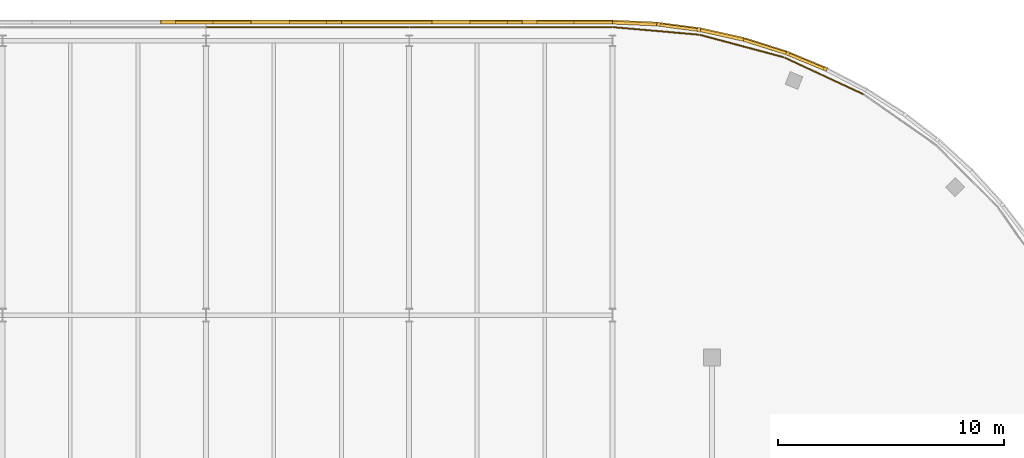
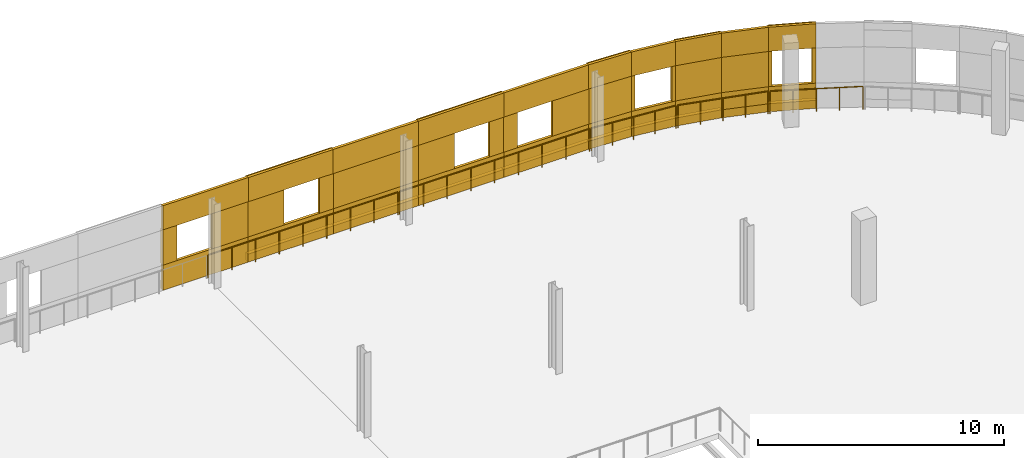
# One storey, part 99 of 103: 51 coverings, 5 railings.
"""IFC4 building model written with IfcOpenShell, lengths in metres."""

from ifc_helpers import new_model, si_unit, direction, frame, origin, origin_2d, place, context, subcontext, project, spatial, rectangle, circle, extrude, material, layer, layer_set, type_object, element, save


model = new_model("IFC4")

# Units and contexts
model_context = context("Model", 3, precision=1e-05, world=origin(), true_north=direction((0.0, 1.0)))
body_context = subcontext(model_context, "Body", "Model", "MODEL_VIEW")
ifc_project = project(units=[si_unit("LENGTHUNIT", "METRE"), si_unit("AREAUNIT", "SQUARE_METRE"), si_unit("VOLUMEUNIT", "CUBIC_METRE"), si_unit("PLANEANGLEUNIT", "RADIAN"), si_unit("MASSUNIT", "GRAM", prefix="KILO")], contexts=[model_context])

# Site, building, storey
site_placement = place(None, origin())
site = spatial("IfcSite", under=ifc_project, at=site_placement, CompositionType="ELEMENT")
building_placement = place(site_placement, origin())
building = spatial("IfcBuilding", under=site, at=building_placement, Name="Deido Ridge Mobility Hub", CompositionType="ELEMENT")
storey_placement = place(building_placement, frame((0.0, 0.0, 12.60009765625)))
storey = spatial("IfcBuildingStorey", under=building, at=storey_placement, Name="L03", CompositionType="ELEMENT", Elevation=12.60009765625)

# Coverings
ifc_material_1 = material(Name="Fired clay brick masonry", Category="masonry")
ifc_layer = layer(ifc_material_1, 0.114990234375, Name="Fired clay brick masonry")
ifc_layer_set = layer_set([ifc_layer], Name="Fired clay brick masonry")
covering_type = type_object("IfcCoveringType", Name="COV-BRK-SCREEN-115", PredefinedType="CLADDING", material=ifc_layer_set)
covering_1_placement = place(storey_placement, frame((125.58203125, 124.218994140625, 0.0), z_axis=(0.0, 0.0, 1.0), x_axis=(-0.923872853285, 0.382699557047, 0.0)))
element("IfcCovering", 1, at=covering_1_placement, inside=storey, type_object=covering_type, Name="Open brickwork spandrel course BKS1 (L03)", PredefinedType="CLADDING", context=body_context, shape_type="SweptSolid", body=[
    extrude(rectangle(XDim=1.9619140625, YDim=0.125, at=origin_2d()), origin(), (0.0, 0.0, 1.0), 1.25),
])
covering_2_placement = place(storey_placement, frame((125.5927734375, 124.244384765625, 0.0), z_axis=(0.0, 0.0, 1.0), x_axis=(-0.923872853285, 0.382699557047, 0.0)))
element("IfcCovering", 2, at=covering_2_placement, inside=storey, type_object=covering_type, Name="Raised brick relief belt BKS1 (L03)", PredefinedType="CLADDING", context=body_context, shape_type="SweptSolid", body=[
    extrude(rectangle(XDim=1.9619140625, YDim=0.179931640625, at=origin_2d()), origin(), (0.0, 0.0, 1.0), 0.39990234375),
])
covering_3_placement = place(storey_placement, frame((125.58203125, 124.218994140625, 3.0), z_axis=(0.0, 0.0, 1.0), x_axis=(-0.923872853285, 0.382699557047, 0.0)))
element("IfcCovering", 3, at=covering_3_placement, inside=storey, type_object=covering_type, Name="Open brickwork lintel course BKS1 (L03)", PredefinedType="CLADDING", context=body_context, shape_type="SweptSolid", body=[
    extrude(rectangle(XDim=1.9619140625, YDim=0.125, at=origin_2d()), origin(), (0.0, 0.0, 1.0), 1.199951171875),
])
covering_4_placement = place(storey_placement, frame((125.5927734375, 124.244384765625, 3.83984375), z_axis=(0.0, 0.0, 1.0), x_axis=(-0.923872853285, 0.382699557047, 0.0)))
element("IfcCovering", 4, at=covering_4_placement, inside=storey, type_object=covering_type, Name="Raised brick relief cornice BKS1 (L03)", PredefinedType="CLADDING", context=body_context, shape_type="SweptSolid", body=[
    extrude(rectangle(XDim=1.9619140625, YDim=0.179931640625, at=origin_2d()), origin(), (0.0, 0.0, 1.0), 0.360107421875),
])
for number, where, z_axis, x_axis, name in (
    (5, (126.425048828125, 123.899658203125, 1.25), (0.0, 0.0, 1.0), (-0.923872853285, 0.382699557047, 0.0), "Curved brick jamb nib BKS1 (L03)"),
    (6, (124.76025390625, 124.58935546875, 1.25), (0.0, 0.0, 1.0), (-0.923872853285, 0.382699557047, 0.0), "Curved brick jamb nib BKS1 (L03)"),
):
    element("IfcCovering", number, at=place(storey_placement, frame(where, z_axis=z_axis, x_axis=x_axis)), inside=storey, type_object=covering_type, Name=name, PredefinedType="CLADDING", context=body_context, shape_type="SweptSolid", body=[
        extrude(rectangle(XDim=0.152099609375, YDim=0.179931640625, at=origin_2d()), origin(), (0.0, 0.0, 1.0), 1.75),
    ])
covering_5_placement = place(storey_placement, frame((123.74365234375, 124.88818359375, 0.0), z_axis=(0.0, 0.0, 1.0), x_axis=(-0.95372744678, 0.300672508319, 0.0)))
element("IfcCovering", 7, at=covering_5_placement, inside=storey, type_object=covering_type, Name="Open brickwork spandrel course BKS1 (L03)", PredefinedType="CLADDING", context=body_context, shape_type="SweptSolid", body=[
    extrude(rectangle(XDim=1.9619140625, YDim=0.125, at=origin_2d()), origin(), (0.0, 0.0, 1.0), 1.25),
])
covering_6_placement = place(storey_placement, frame((123.751953125, 124.914306640625, 0.0), z_axis=(0.0, 0.0, 1.0), x_axis=(-0.95372744678, 0.300672508319, 0.0)))
element("IfcCovering", 8, at=covering_6_placement, inside=storey, type_object=covering_type, Name="Raised brick relief belt BKS1 (L03)", PredefinedType="CLADDING", context=body_context, shape_type="SweptSolid", body=[
    extrude(rectangle(XDim=1.9619140625, YDim=0.179931640625, at=origin_2d()), origin(), (0.0, 0.0, 1.0), 0.39990234375),
])
covering_7_placement = place(storey_placement, frame((123.74365234375, 124.88818359375, 3.0), z_axis=(0.0, 0.0, 1.0), x_axis=(-0.95372744678, 0.300672508319, 0.0)))
element("IfcCovering", 9, at=covering_7_placement, inside=storey, type_object=covering_type, Name="Open brickwork lintel course BKS1 (L03)", PredefinedType="CLADDING", context=body_context, shape_type="SweptSolid", body=[
    extrude(rectangle(XDim=1.9619140625, YDim=0.125, at=origin_2d()), origin(), (0.0, 0.0, 1.0), 1.199951171875),
])
covering_8_placement = place(storey_placement, frame((123.74365234375, 124.88818359375, 1.25), z_axis=(0.0, 0.0, 1.0), x_axis=(-0.95372744678, 0.300672508319, 0.0)))
element("IfcCovering", 10, at=covering_8_placement, inside=storey, type_object=covering_type, Name="Curved raised brickwork pier BKS1 (L03)", PredefinedType="CLADDING", context=body_context, shape_type="SweptSolid", body=[
    extrude(rectangle(XDim=1.9619140625, YDim=0.125, at=origin_2d()), origin(), (0.0, 0.0, 1.0), 1.75),
])
covering_9_placement = place(storey_placement, frame((121.85400390625, 125.39453125, 0.0), z_axis=(0.0, 0.0, 1.0), x_axis=(-0.976292229387, 0.216456653485, 0.0)))
element("IfcCovering", 11, at=covering_9_placement, inside=storey, type_object=covering_type, Name="Open brickwork spandrel course BKS1 (L03)", PredefinedType="CLADDING", context=body_context, shape_type="SweptSolid", body=[
    extrude(rectangle(XDim=1.9619140625, YDim=0.125, at=origin_2d()), origin(), (0.0, 0.0, 1.0), 1.25),
])
covering_10_placement = place(storey_placement, frame((121.85986328125, 125.42138671875, 0.0), z_axis=(0.0, 0.0, 1.0), x_axis=(-0.976292229387, 0.216456653485, 0.0)))
element("IfcCovering", 12, at=covering_10_placement, inside=storey, type_object=covering_type, Name="Raised brick relief belt BKS1 (L03)", PredefinedType="CLADDING", context=body_context, shape_type="SweptSolid", body=[
    extrude(rectangle(XDim=1.9619140625, YDim=0.179931640625, at=origin_2d()), origin(), (0.0, 0.0, 1.0), 0.39990234375),
])
covering_11_placement = place(storey_placement, frame((121.85400390625, 125.39453125, 3.0), z_axis=(0.0, 0.0, 1.0), x_axis=(-0.976292229387, 0.216456653485, 0.0)))
element("IfcCovering", 13, at=covering_11_placement, inside=storey, type_object=covering_type, Name="Open brickwork lintel course BKS1 (L03)", PredefinedType="CLADDING", context=body_context, shape_type="SweptSolid", body=[
    extrude(rectangle(XDim=1.9619140625, YDim=0.125, at=origin_2d()), origin(), (0.0, 0.0, 1.0), 1.199951171875),
])
covering_12_placement = place(storey_placement, frame((121.85986328125, 125.42138671875, 3.83984375), z_axis=(0.0, 0.0, 1.0), x_axis=(-0.976292229387, 0.216456653485, 0.0)))
element("IfcCovering", 14, at=covering_12_placement, inside=storey, type_object=covering_type, Name="Raised brick relief cornice BKS1 (L03)", PredefinedType="CLADDING", context=body_context, shape_type="SweptSolid", body=[
    extrude(rectangle(XDim=1.9619140625, YDim=0.179931640625, at=origin_2d()), origin(), (0.0, 0.0, 1.0), 0.360107421875),
])
covering_13_placement = place(storey_placement, frame((121.85986328125, 125.42138671875, 1.25), z_axis=(0.0, 0.0, 1.0), x_axis=(-0.976292229387, 0.216456653485, 0.0)))
element("IfcCovering", 15, at=covering_13_placement, inside=storey, type_object=covering_type, Name="Curved raised brickwork pier BKS1 (L03)", PredefinedType="CLADDING", context=body_context, shape_type="SweptSolid", body=[
    extrude(rectangle(XDim=1.9619140625, YDim=0.179931640625, at=origin_2d()), origin(), (0.0, 0.0, 1.0), 1.75),
])
covering_14_placement = place(storey_placement, frame((119.92724609375, 125.734375, 0.0), z_axis=(0.0, 0.0, 1.0), x_axis=(-0.991442583111, 0.130543496177, 0.0)))
element("IfcCovering", 16, at=covering_14_placement, inside=storey, type_object=covering_type, Name="Open brickwork spandrel course BKS1 (L03)", PredefinedType="CLADDING", context=body_context, shape_type="SweptSolid", body=[
    extrude(rectangle(XDim=1.9619140625, YDim=0.125, at=origin_2d()), origin(), (0.0, 0.0, 1.0), 1.25),
])
covering_15_placement = place(storey_placement, frame((119.930908203125, 125.76171875, 0.0), z_axis=(0.0, 0.0, 1.0), x_axis=(-0.991442583111, 0.130543496177, 0.0)))
element("IfcCovering", 17, at=covering_15_placement, inside=storey, type_object=covering_type, Name="Raised brick relief belt BKS1 (L03)", PredefinedType="CLADDING", context=body_context, shape_type="SweptSolid", body=[
    extrude(rectangle(XDim=1.9619140625, YDim=0.179931640625, at=origin_2d()), origin(), (0.0, 0.0, 1.0), 0.39990234375),
])
covering_16_placement = place(storey_placement, frame((119.92724609375, 125.734375, 3.0), z_axis=(0.0, 0.0, 1.0), x_axis=(-0.991442583111, 0.130543496177, 0.0)))
element("IfcCovering", 18, at=covering_16_placement, inside=storey, type_object=covering_type, Name="Open brickwork lintel course BKS1 (L03)", PredefinedType="CLADDING", context=body_context, shape_type="SweptSolid", body=[
    extrude(rectangle(XDim=1.9619140625, YDim=0.125, at=origin_2d()), origin(), (0.0, 0.0, 1.0), 1.199951171875),
])
for number, where, z_axis, x_axis, name in (
    (19, (120.82421875, 125.64404296875, 1.25), (0.0, 0.0, 1.0), (-0.991442583111, 0.130543496177, 0.0), "Curved brick jamb nib BKS1 (L03)"),
    (20, (119.03759765625, 125.879150390625, 1.25), (0.0, 0.0, 1.0), (-0.991442583111, 0.130543496177, 0.0), "Curved brick jamb nib BKS1 (L03)"),
):
    element("IfcCovering", number, at=place(storey_placement, frame(where, z_axis=z_axis, x_axis=x_axis)), inside=storey, type_object=covering_type, Name=name, PredefinedType="CLADDING", context=body_context, shape_type="SweptSolid", body=[
        extrude(rectangle(XDim=0.152099609375, YDim=0.179931640625, at=origin_2d()), origin(), (0.0, 0.0, 1.0), 1.75),
    ])
covering_17_placement = place(storey_placement, frame((117.978271484375, 125.90478515625, 0.0), z_axis=(0.0, 0.0, 1.0), x_axis=(-0.999048982732, 0.043601950678, 0.0)))
element("IfcCovering", 21, at=covering_17_placement, inside=storey, type_object=covering_type, Name="Open brickwork spandrel course BKS1 (L03)", PredefinedType="CLADDING", context=body_context, shape_type="SweptSolid", body=[
    extrude(rectangle(XDim=1.9619140625, YDim=0.125, at=origin_2d()), origin(), (0.0, 0.0, 1.0), 1.25),
])
covering_18_placement = place(storey_placement, frame((117.9794921875, 125.932373046875, 0.0), z_axis=(0.0, 0.0, 1.0), x_axis=(-0.999048982732, 0.043601950678, 0.0)))
element("IfcCovering", 22, at=covering_18_placement, inside=storey, type_object=covering_type, Name="Raised brick relief belt BKS1 (L03)", PredefinedType="CLADDING", context=body_context, shape_type="SweptSolid", body=[
    extrude(rectangle(XDim=1.9619140625, YDim=0.179931640625, at=origin_2d()), origin(), (0.0, 0.0, 1.0), 0.39990234375),
])
covering_19_placement = place(storey_placement, frame((117.978271484375, 125.90478515625, 3.0), z_axis=(0.0, 0.0, 1.0), x_axis=(-0.999048982732, 0.043601950678, 0.0)))
element("IfcCovering", 23, at=covering_19_placement, inside=storey, type_object=covering_type, Name="Open brickwork lintel course BKS1 (L03)", PredefinedType="CLADDING", context=body_context, shape_type="SweptSolid", body=[
    extrude(rectangle(XDim=1.9619140625, YDim=0.125, at=origin_2d()), origin(), (0.0, 0.0, 1.0), 1.199951171875),
])
covering_20_placement = place(storey_placement, frame((117.9794921875, 125.932373046875, 3.83984375), z_axis=(0.0, 0.0, 1.0), x_axis=(-0.999048982732, 0.043601950678, 0.0)))
element("IfcCovering", 24, at=covering_20_placement, inside=storey, type_object=covering_type, Name="Raised brick relief cornice BKS1 (L03)", PredefinedType="CLADDING", context=body_context, shape_type="SweptSolid", body=[
    extrude(rectangle(XDim=1.9619140625, YDim=0.179931640625, at=origin_2d()), origin(), (0.0, 0.0, 1.0), 0.360107421875),
])
covering_21_placement = place(storey_placement, frame((117.9794921875, 125.932373046875, 1.25), z_axis=(0.0, 0.0, 1.0), x_axis=(-0.999048982732, 0.043601950678, 0.0)))
element("IfcCovering", 25, at=covering_21_placement, inside=storey, type_object=covering_type, Name="Curved raised brickwork pier BKS1 (L03)", PredefinedType="CLADDING", context=body_context, shape_type="SweptSolid", body=[
    extrude(rectangle(XDim=1.9619140625, YDim=0.179931640625, at=origin_2d()), origin(), (0.0, 0.0, 1.0), 1.75),
])
covering_22_placement = place(storey_placement, frame((115.0, 125.947509765625, 0.0), z_axis=(0.0, 0.0, 1.0), x_axis=(-1.0, 0.0, 0.0)))
element("IfcCovering", 26, at=covering_22_placement, inside=storey, type_object=covering_type, Name="Open brickwork spandrel course BKS1 (L03)", PredefinedType="CLADDING", context=body_context, shape_type="SweptSolid", body=[
    extrude(rectangle(XDim=4.01611328125, YDim=0.125, at=origin_2d()), origin(), (0.0, 0.0, 1.0), 1.25),
])
covering_23_placement = place(storey_placement, frame((115.0, 125.97509765625, 0.0), z_axis=(0.0, 0.0, 1.0), x_axis=(-1.0, 0.0, 0.0)))
element("IfcCovering", 27, at=covering_23_placement, inside=storey, type_object=covering_type, Name="Raised brick relief belt BKS1 (L03)", PredefinedType="CLADDING", context=body_context, shape_type="SweptSolid", body=[
    extrude(rectangle(XDim=4.01611328125, YDim=0.179931640625, at=origin_2d()), origin(), (0.0, 0.0, 1.0), 0.39990234375),
])
covering_24_placement = place(storey_placement, frame((115.0, 125.947509765625, 3.0), z_axis=(0.0, 0.0, 1.0), x_axis=(-1.0, 0.0, 0.0)))
element("IfcCovering", 28, at=covering_24_placement, inside=storey, type_object=covering_type, Name="Open brickwork lintel course BKS1 (L03)", PredefinedType="CLADDING", context=body_context, shape_type="SweptSolid", body=[
    extrude(rectangle(XDim=4.01611328125, YDim=0.125, at=origin_2d()), origin(), (0.0, 0.0, 1.0), 1.199951171875),
])
covering_25_placement = place(storey_placement, frame((116.152587890625, 125.947509765625, 1.25), z_axis=(0.0, 0.0, 1.0), x_axis=(-1.0, 0.0, 0.0)))
element("IfcCovering", 29, at=covering_25_placement, inside=storey, type_object=covering_type, Name="Open brickwork pier BKS1 (L03)", PredefinedType="CLADDING", context=body_context, shape_type="SweptSolid", body=[
    extrude(rectangle(XDim=1.695068359375, YDim=0.125, at=origin_2d()), origin(), (0.0, 0.0, 1.0), 1.75),
])
covering_26_placement = place(storey_placement, frame((113.327392578125, 125.97509765625, 1.25), z_axis=(0.0, 0.0, 1.0), x_axis=(-1.0, 0.0, 0.0)))
element("IfcCovering", 30, at=covering_26_placement, inside=storey, type_object=covering_type, Name="Open brickwork pier BKS1 (L03)", PredefinedType="CLADDING", context=body_context, shape_type="SweptSolid", body=[
    extrude(rectangle(XDim=0.655029296875, YDim=0.179931640625, at=origin_2d()), origin(), (0.0, 0.0, 1.0), 1.75),
])
covering_27_placement = place(storey_placement, frame((111.0, 125.947509765625, 0.0), z_axis=(0.0, 0.0, 1.0), x_axis=(-1.0, 0.0, 0.0)))
element("IfcCovering", 31, at=covering_27_placement, inside=storey, type_object=covering_type, Name="Open brickwork spandrel course BKS1 (L03)", PredefinedType="CLADDING", context=body_context, shape_type="SweptSolid", body=[
    extrude(rectangle(XDim=4.01611328125, YDim=0.125, at=origin_2d()), origin(), (0.0, 0.0, 1.0), 1.25),
])
covering_28_placement = place(storey_placement, frame((111.0, 125.97509765625, 0.0), z_axis=(0.0, 0.0, 1.0), x_axis=(-1.0, 0.0, 0.0)))
element("IfcCovering", 32, at=covering_28_placement, inside=storey, type_object=covering_type, Name="Raised brick relief belt BKS1 (L03)", PredefinedType="CLADDING", context=body_context, shape_type="SweptSolid", body=[
    extrude(rectangle(XDim=4.01611328125, YDim=0.179931640625, at=origin_2d()), origin(), (0.0, 0.0, 1.0), 0.39990234375),
])
covering_29_placement = place(storey_placement, frame((111.0, 125.947509765625, 3.0), z_axis=(0.0, 0.0, 1.0), x_axis=(-1.0, 0.0, 0.0)))
element("IfcCovering", 33, at=covering_29_placement, inside=storey, type_object=covering_type, Name="Open brickwork lintel course BKS1 (L03)", PredefinedType="CLADDING", context=body_context, shape_type="SweptSolid", body=[
    extrude(rectangle(XDim=4.01611328125, YDim=0.125, at=origin_2d()), origin(), (0.0, 0.0, 1.0), 1.199951171875),
])
covering_30_placement = place(storey_placement, frame((111.0, 125.97509765625, 3.83984375), z_axis=(0.0, 0.0, 1.0), x_axis=(-1.0, 0.0, 0.0)))
element("IfcCovering", 34, at=covering_30_placement, inside=storey, type_object=covering_type, Name="Raised brick relief cornice BKS1 (L03)", PredefinedType="CLADDING", context=body_context, shape_type="SweptSolid", body=[
    extrude(rectangle(XDim=4.01611328125, YDim=0.179931640625, at=origin_2d()), origin(), (0.0, 0.0, 1.0), 0.360107421875),
])
covering_31_placement = place(storey_placement, frame((112.672607421875, 125.947509765625, 1.25), z_axis=(0.0, 0.0, 1.0), x_axis=(-1.0, 0.0, 0.0)))
element("IfcCovering", 35, at=covering_31_placement, inside=storey, type_object=covering_type, Name="Open brickwork pier BKS1 (L03)", PredefinedType="CLADDING", context=body_context, shape_type="SweptSolid", body=[
    extrude(rectangle(XDim=0.655029296875, YDim=0.125, at=origin_2d()), origin(), (0.0, 0.0, 1.0), 1.75),
])
covering_32_placement = place(storey_placement, frame((109.847412109375, 125.97509765625, 1.25), z_axis=(0.0, 0.0, 1.0), x_axis=(-1.0, 0.0, 0.0)))
element("IfcCovering", 36, at=covering_32_placement, inside=storey, type_object=covering_type, Name="Open brickwork pier BKS1 (L03)", PredefinedType="CLADDING", context=body_context, shape_type="SweptSolid", body=[
    extrude(rectangle(XDim=1.695068359375, YDim=0.179931640625, at=origin_2d()), origin(), (0.0, 0.0, 1.0), 1.75),
])
covering_33_placement = place(storey_placement, frame((107.0, 125.947509765625, 0.0), z_axis=(0.0, 0.0, 1.0), x_axis=(-1.0, 0.0, 0.0)))
element("IfcCovering", 37, at=covering_33_placement, inside=storey, type_object=covering_type, Name="Open brickwork spandrel course BKS1 (L03)", PredefinedType="CLADDING", context=body_context, shape_type="SweptSolid", body=[
    extrude(rectangle(XDim=4.01611328125, YDim=0.125, at=origin_2d()), origin(), (0.0, 0.0, 1.0), 1.25),
])
covering_34_placement = place(storey_placement, frame((107.0, 125.97509765625, 0.0), z_axis=(0.0, 0.0, 1.0), x_axis=(-1.0, 0.0, 0.0)))
element("IfcCovering", 38, at=covering_34_placement, inside=storey, type_object=covering_type, Name="Raised brick relief belt BKS1 (L03)", PredefinedType="CLADDING", context=body_context, shape_type="SweptSolid", body=[
    extrude(rectangle(XDim=4.01611328125, YDim=0.179931640625, at=origin_2d()), origin(), (0.0, 0.0, 1.0), 0.39990234375),
])
covering_35_placement = place(storey_placement, frame((107.0, 125.947509765625, 3.0), z_axis=(0.0, 0.0, 1.0), x_axis=(-1.0, 0.0, 0.0)))
element("IfcCovering", 39, at=covering_35_placement, inside=storey, type_object=covering_type, Name="Open brickwork lintel course BKS1 (L03)", PredefinedType="CLADDING", context=body_context, shape_type="SweptSolid", body=[
    extrude(rectangle(XDim=4.01611328125, YDim=0.125, at=origin_2d()), origin(), (0.0, 0.0, 1.0), 1.199951171875),
])
covering_36_placement = place(storey_placement, frame((107.0, 125.97509765625, 1.25), z_axis=(0.0, 0.0, 1.0), x_axis=(-1.0, 0.0, 0.0)))
element("IfcCovering", 40, at=covering_36_placement, inside=storey, type_object=covering_type, Name="Raised brick relief panel BKS1 (L03)", PredefinedType="CLADDING", context=body_context, shape_type="SweptSolid", body=[
    extrude(rectangle(XDim=4.008056640625, YDim=0.179931640625, at=origin_2d()), origin(), (0.0, 0.0, 1.0), 1.75),
])
covering_37_placement = place(storey_placement, frame((103.0, 125.947509765625, 0.0), z_axis=(0.0, 0.0, 1.0), x_axis=(-1.0, 0.0, 0.0)))
element("IfcCovering", 41, at=covering_37_placement, inside=storey, type_object=covering_type, Name="Open brickwork spandrel course BKS1 (L03)", PredefinedType="CLADDING", context=body_context, shape_type="SweptSolid", body=[
    extrude(rectangle(XDim=4.01611328125, YDim=0.125, at=origin_2d()), origin(), (0.0, 0.0, 1.0), 1.25),
])
covering_38_placement = place(storey_placement, frame((103.0, 125.97509765625, 0.0), z_axis=(0.0, 0.0, 1.0), x_axis=(-1.0, 0.0, 0.0)))
element("IfcCovering", 42, at=covering_38_placement, inside=storey, type_object=covering_type, Name="Raised brick relief belt BKS1 (L03)", PredefinedType="CLADDING", context=body_context, shape_type="SweptSolid", body=[
    extrude(rectangle(XDim=4.01611328125, YDim=0.179931640625, at=origin_2d()), origin(), (0.0, 0.0, 1.0), 0.39990234375),
])
covering_39_placement = place(storey_placement, frame((103.0, 125.947509765625, 3.0), z_axis=(0.0, 0.0, 1.0), x_axis=(-1.0, 0.0, 0.0)))
element("IfcCovering", 43, at=covering_39_placement, inside=storey, type_object=covering_type, Name="Open brickwork lintel course BKS1 (L03)", PredefinedType="CLADDING", context=body_context, shape_type="SweptSolid", body=[
    extrude(rectangle(XDim=4.01611328125, YDim=0.125, at=origin_2d()), origin(), (0.0, 0.0, 1.0), 1.199951171875),
])
covering_40_placement = place(storey_placement, frame((103.0, 125.97509765625, 3.83984375), z_axis=(0.0, 0.0, 1.0), x_axis=(-1.0, 0.0, 0.0)))
element("IfcCovering", 44, at=covering_40_placement, inside=storey, type_object=covering_type, Name="Raised brick relief cornice BKS1 (L03)", PredefinedType="CLADDING", context=body_context, shape_type="SweptSolid", body=[
    extrude(rectangle(XDim=4.01611328125, YDim=0.179931640625, at=origin_2d()), origin(), (0.0, 0.0, 1.0), 0.360107421875),
])
covering_41_placement = place(storey_placement, frame((104.672607421875, 125.947509765625, 1.25), z_axis=(0.0, 0.0, 1.0), x_axis=(-1.0, 0.0, 0.0)))
element("IfcCovering", 45, at=covering_41_placement, inside=storey, type_object=covering_type, Name="Open brickwork pier BKS1 (L03)", PredefinedType="CLADDING", context=body_context, shape_type="SweptSolid", body=[
    extrude(rectangle(XDim=0.655029296875, YDim=0.125, at=origin_2d()), origin(), (0.0, 0.0, 1.0), 1.75),
])
covering_42_placement = place(storey_placement, frame((101.847412109375, 125.97509765625, 1.25), z_axis=(0.0, 0.0, 1.0), x_axis=(-1.0, 0.0, 0.0)))
element("IfcCovering", 46, at=covering_42_placement, inside=storey, type_object=covering_type, Name="Open brickwork pier BKS1 (L03)", PredefinedType="CLADDING", context=body_context, shape_type="SweptSolid", body=[
    extrude(rectangle(XDim=1.695068359375, YDim=0.179931640625, at=origin_2d()), origin(), (0.0, 0.0, 1.0), 1.75),
])
covering_43_placement = place(storey_placement, frame((99.0, 125.947509765625, 0.0), z_axis=(0.0, 0.0, 1.0), x_axis=(-1.0, 0.0, 0.0)))
element("IfcCovering", 47, at=covering_43_placement, inside=storey, type_object=covering_type, Name="Open brickwork spandrel course BKS1 (L03)", PredefinedType="CLADDING", context=body_context, shape_type="SweptSolid", body=[
    extrude(rectangle(XDim=4.01611328125, YDim=0.125, at=origin_2d()), origin(), (0.0, 0.0, 1.0), 1.25),
])
covering_44_placement = place(storey_placement, frame((99.0, 125.97509765625, 0.0), z_axis=(0.0, 0.0, 1.0), x_axis=(-1.0, 0.0, 0.0)))
element("IfcCovering", 48, at=covering_44_placement, inside=storey, type_object=covering_type, Name="Raised brick relief belt BKS1 (L03)", PredefinedType="CLADDING", context=body_context, shape_type="SweptSolid", body=[
    extrude(rectangle(XDim=4.01611328125, YDim=0.179931640625, at=origin_2d()), origin(), (0.0, 0.0, 1.0), 0.39990234375),
])
covering_45_placement = place(storey_placement, frame((99.0, 125.947509765625, 3.0), z_axis=(0.0, 0.0, 1.0), x_axis=(-1.0, 0.0, 0.0)))
element("IfcCovering", 49, at=covering_45_placement, inside=storey, type_object=covering_type, Name="Open brickwork lintel course BKS1 (L03)", PredefinedType="CLADDING", context=body_context, shape_type="SweptSolid", body=[
    extrude(rectangle(XDim=4.01611328125, YDim=0.125, at=origin_2d()), origin(), (0.0, 0.0, 1.0), 1.199951171875),
])
covering_46_placement = place(storey_placement, frame((100.152587890625, 125.947509765625, 1.25), z_axis=(0.0, 0.0, 1.0), x_axis=(-1.0, 0.0, 0.0)))
element("IfcCovering", 50, at=covering_46_placement, inside=storey, type_object=covering_type, Name="Open brickwork pier BKS1 (L03)", PredefinedType="CLADDING", context=body_context, shape_type="SweptSolid", body=[
    extrude(rectangle(XDim=1.695068359375, YDim=0.125, at=origin_2d()), origin(), (0.0, 0.0, 1.0), 1.75),
])
covering_47_placement = place(storey_placement, frame((97.327392578125, 125.97509765625, 1.25), z_axis=(0.0, 0.0, 1.0), x_axis=(-1.0, 0.0, 0.0)))
element("IfcCovering", 51, at=covering_47_placement, inside=storey, type_object=covering_type, Name="Open brickwork pier BKS1 (L03)", PredefinedType="CLADDING", context=body_context, shape_type="SweptSolid", body=[
    extrude(rectangle(XDim=0.655029296875, YDim=0.179931640625, at=origin_2d()), origin(), (0.0, 0.0, 1.0), 1.75),
])

# Railings
ifc_material_2 = material(Name="Galvanised steel work", Category="steel")
railing_type = type_object("IfcRailingType", Name="RL-GRD-EXT-1150", PredefinedType="GUARDRAIL", material=ifc_material_2)
railing_1_placement = place(storey_placement, frame((128.088623046875, 122.785888671875, 0.0)))
element("IfcRailing", 52, at=railing_1_placement, inside=storey, type_object=railing_type, Name="Parking drum perimeter guard (L03)", PredefinedType="GUARDRAIL", context=body_context, shape_type="SweptSolid", body=[
    extrude(circle(Radius=0.02392578125, at=origin_2d()), frame((0.0, 0.0, 1.1259765625), z_axis=(-0.906281639574, 0.422674330627, 0.0), x_axis=(-0.422674330627, -0.906281639574, 0.0)), (0.0, 0.0, 1.0), 3.79833984375),
    extrude(circle(Radius=0.02099609375, at=origin_2d()), origin(), (0.0, 0.0, 1.0), 1.101806640625),
    extrude(circle(Radius=0.02099609375, at=origin_2d()), frame((-0.860595703125, 0.4013671875, 0.0)), (0.0, 0.0, 1.0), 1.101806640625),
    extrude(circle(Radius=0.02099609375, at=origin_2d()), frame((-1.72119140625, 0.802734375, 0.0)), (0.0, 0.0, 1.0), 1.101806640625),
    extrude(circle(Radius=0.02099609375, at=origin_2d()), frame((-2.581787109375, 1.2041015625, 0.0)), (0.0, 0.0, 1.0), 1.101806640625),
    extrude(circle(Radius=0.02099609375, at=origin_2d()), frame((-3.4423828125, 1.60546875, 0.0)), (0.0, 0.0, 1.0), 1.101806640625),
])
railing_2_placement = place(storey_placement, frame((124.5712890625, 124.418701171875, 0.0)))
element("IfcRailing", 53, at=railing_2_placement, inside=storey, type_object=railing_type, Name="Parking drum perimeter guard (L03)", PredefinedType="GUARDRAIL", context=body_context, shape_type="SweptSolid", body=[
    extrude(circle(Radius=0.02392578125, at=origin_2d()), frame((0.0, 0.0, 1.1259765625), z_axis=(-0.965937723757, 0.258774639064, 0.0), x_axis=(-0.258774639064, -0.965937723757, 0.0)), (0.0, 0.0, 1.0), 3.79833984375),
    extrude(circle(Radius=0.02099609375, at=origin_2d()), origin(), (0.0, 0.0, 1.0), 1.101806640625),
    extrude(circle(Radius=0.02099609375, at=origin_2d()), frame((-0.917236328125, 0.24560546875, 0.0)), (0.0, 0.0, 1.0), 1.101806640625),
    extrude(circle(Radius=0.02099609375, at=origin_2d()), frame((-1.83447265625, 0.491455078125, 0.0)), (0.0, 0.0, 1.0), 1.101806640625),
    extrude(circle(Radius=0.02099609375, at=origin_2d()), frame((-2.751708984375, 0.7373046875, 0.0)), (0.0, 0.0, 1.0), 1.101806640625),
    extrude(circle(Radius=0.02099609375, at=origin_2d()), frame((-3.6689453125, 0.98291015625, 0.0)), (0.0, 0.0, 1.0), 1.101806640625),
])
railing_3_placement = place(storey_placement, frame((120.823974609375, 125.41552734375, 0.0)))
element("IfcRailing", 54, at=railing_3_placement, inside=storey, type_object=railing_type, Name="Parking drum perimeter guard (L03)", PredefinedType="GUARDRAIL", context=body_context, shape_type="SweptSolid", body=[
    extrude(circle(Radius=0.02392578125, at=origin_2d()), frame((0.0, 0.0, 1.1259765625), z_axis=(-0.996195112607, 0.08715100469, 0.0), x_axis=(-0.08715100469, -0.996195112607, 0.0)), (0.0, 0.0, 1.0), 3.798583984375),
    extrude(circle(Radius=0.02099609375, at=origin_2d()), origin(), (0.0, 0.0, 1.0), 1.101806640625),
    extrude(circle(Radius=0.02099609375, at=origin_2d()), frame((-0.946044921875, 0.082763671875, 0.0)), (0.0, 0.0, 1.0), 1.101806640625),
    extrude(circle(Radius=0.02099609375, at=origin_2d()), frame((-1.89208984375, 0.16552734375, 0.0)), (0.0, 0.0, 1.0), 1.101806640625),
    extrude(circle(Radius=0.02099609375, at=origin_2d()), frame((-2.838134765625, 0.248291015625, 0.0)), (0.0, 0.0, 1.0), 1.101806640625),
    extrude(circle(Radius=0.02099609375, at=origin_2d()), frame((-3.7841796875, 0.3310546875, 0.0)), (0.0, 0.0, 1.0), 1.101806640625),
])
for number, where, name in (
    (55, (116.9599609375, 125.75, 0.0), "Parking drum perimeter guard (L03)"),
    (56, (107.9599609375, 125.75, 0.0), "Parking drum perimeter guard (L03)"),
):
    element("IfcRailing", number, at=place(storey_placement, frame(where)), inside=storey, type_object=railing_type, Name=name, PredefinedType="GUARDRAIL", context=body_context, shape_type="SweptSolid", body=[
        extrude(circle(Radius=0.02392578125, at=origin_2d()), frame((0.0, 0.0, 1.1259765625), z_axis=(-1.0, 0.0, 0.0), x_axis=(0.0, -1.0, 0.0)), (0.0, 0.0, 1.0), 8.919921875),
        extrude(circle(Radius=0.02099609375, at=origin_2d()), origin(), (0.0, 0.0, 1.0), 1.101806640625),
        extrude(circle(Radius=0.02099609375, at=origin_2d()), frame((-1.114990234375, 0.0, 0.0)), (0.0, 0.0, 1.0), 1.101806640625),
        extrude(circle(Radius=0.02099609375, at=origin_2d()), frame((-2.22998046875, 0.0, 0.0)), (0.0, 0.0, 1.0), 1.101806640625),
        extrude(circle(Radius=0.02099609375, at=origin_2d()), frame((-3.344970703125, 0.0, 0.0)), (0.0, 0.0, 1.0), 1.101806640625),
        extrude(circle(Radius=0.02099609375, at=origin_2d()), frame((-4.4599609375, 0.0, 0.0)), (0.0, 0.0, 1.0), 1.101806640625),
        extrude(circle(Radius=0.02099609375, at=origin_2d()), frame((-5.574951171875, 0.0, 0.0)), (0.0, 0.0, 1.0), 1.101806640625),
        extrude(circle(Radius=0.02099609375, at=origin_2d()), frame((-6.68994140625, 0.0, 0.0)), (0.0, 0.0, 1.0), 1.101806640625),
        extrude(circle(Radius=0.02099609375, at=origin_2d()), frame((-7.804931640625, 0.0, 0.0)), (0.0, 0.0, 1.0), 1.101806640625),
        extrude(circle(Radius=0.02099609375, at=origin_2d()), frame((-8.919921875, 0.0, 0.0)), (0.0, 0.0, 1.0), 1.101806640625),
    ])

save(model, "model.ifc")
